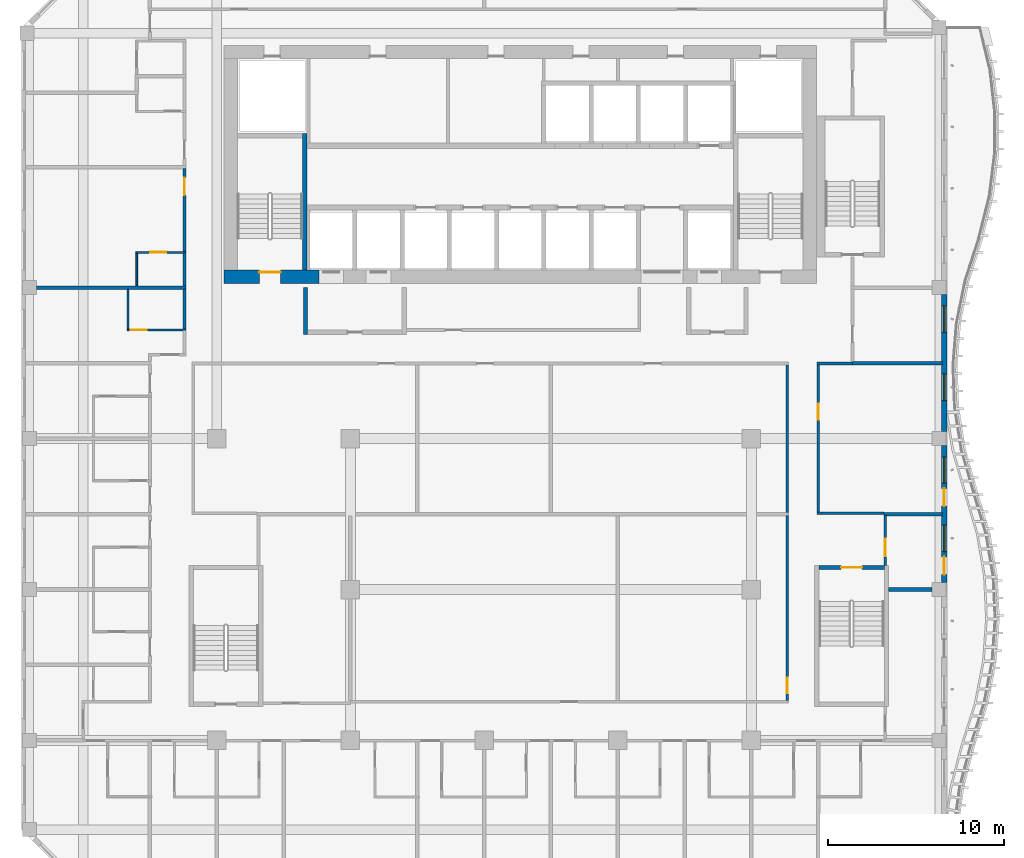
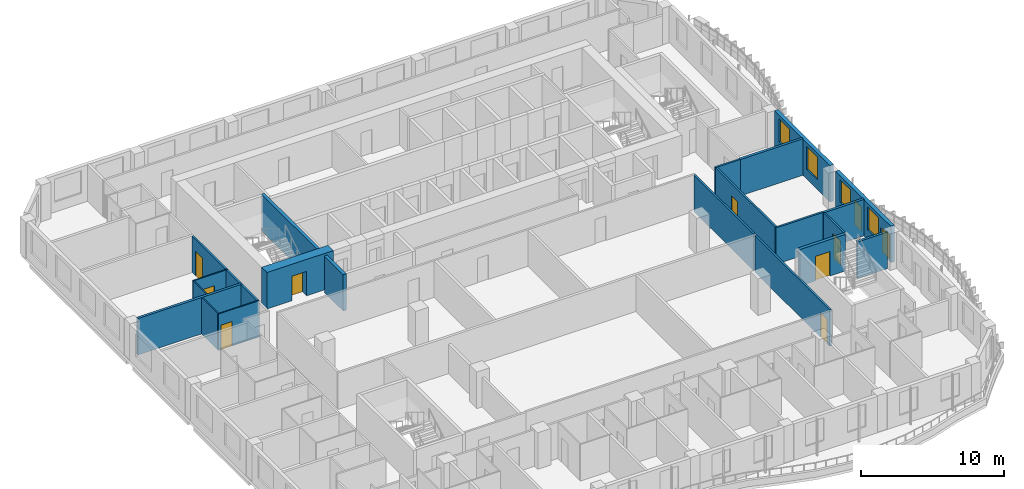
# One storey, part 6 of 22: 23 walls, 10 doors, 4 windows, 14 openings.
"""IFC4 building model written with IfcOpenShell, lengths in metres."""

from ifc_helpers import new_model, si_unit, direction, frame, frame_2d, origin, place, context, subcontext, project, spatial, rectangle, extrude, source, transform, mapped, material, layer, layer_set, type_object, element, fill, save


model = new_model("IFC4")

# Units and contexts
model_context = context("Model", 3, precision=1e-05, world=origin(), true_north=direction((0.0, 1.0)))
body_context = subcontext(model_context, "Body", "Model", "MODEL_VIEW")
ifc_project = project(units=[si_unit("LENGTHUNIT", "METRE"), si_unit("AREAUNIT", "SQUARE_METRE"), si_unit("VOLUMEUNIT", "CUBIC_METRE"), si_unit("PLANEANGLEUNIT", "RADIAN"), si_unit("MASSUNIT", "GRAM", prefix="KILO")], contexts=[model_context])

# Site, building, storey
site_placement = place(None, origin())
site = spatial("IfcSite", under=ifc_project, at=site_placement, CompositionType="ELEMENT")
building_placement = place(site_placement, origin())
building = spatial("IfcBuilding", under=site, at=building_placement, Name="Kilnfold Tower and Market Hall", CompositionType="ELEMENT")
storey_placement = place(building_placement, frame((0.0, 0.0, 188.89990234375)))
storey = spatial("IfcBuildingStorey", under=building, at=storey_placement, Name="L45", CompositionType="ELEMENT", Elevation=188.89990234375)

# Wall
ifc_material_1 = material(Name="Gypsum board on steel studs", Category="steel")
ifc_layer_1 = layer(ifc_material_1, 0.14990234375)
ifc_layer_set_1 = layer_set([ifc_layer_1], Name="Gypsum board on steel studs")
wall_type_1 = type_object("IfcWallType", Name="WALL CORRIDOR 150", PredefinedType="PARTITIONING", material=ifc_layer_set_1)
wall_1_placement = place(storey_placement, frame((-18.0, 5.639892578125, 0.0), z_axis=(0.0, 0.0, 1.0), x_axis=(0.0, 1.0, 0.0)))
element("IfcWall", 1, at=wall_1_placement, inside=storey, type_object=wall_type_1, Name="Partition LY28.21", PredefinedType="PARTITIONING", context=body_context, shape_type="SweptSolid", body=[
    extrude(rectangle(XDim=2.27001953125, YDim=0.14990234375, at=frame_2d((1.135009765625, 0.0))), origin(), (0.0, 0.0, 1.0), 3.1201171875),
])

# Wall, opening, door
wall_2_placement = place(storey_placement, frame((-18.0, 10.0400390625, 0.0), z_axis=(0.0, 0.0, 1.0), x_axis=(0.0, 1.0, 0.0)))
wall_2 = element("IfcWall", 2, at=wall_2_placement, inside=storey, type_object=wall_type_1, Name="Partition LY28.22", PredefinedType="PARTITIONING", context=body_context, shape_type="SweptSolid", body=[
    extrude(rectangle(XDim=4.70703125, YDim=0.14990234375, at=frame_2d((2.353515625, 0.0))), origin(), (0.0, 0.0, 1.0), 3.1201171875),
])
opening_1_placement = place(wall_2_placement, frame((3.2060546875, 0.0, 0.0)))
opening_1 = element("IfcOpeningElement", 3, at=opening_1_placement, cuts=wall_2, Name="Opening D1", PredefinedType="OPENING", context=body_context, shape_type="SweptSolid", body=[
    extrude(rectangle(XDim=1.0, YDim=2.10009765625, at=frame_2d((0.5, 1.050048828125))), frame((0.0, 0.0849609375, 0.0), z_axis=(0.0, -1.0, 0.0), x_axis=(1.0, 0.0, 0.0)), (0.0, 0.0, 1.0), 0.169921875),
])
ifc_material_2 = material(Name="Timber veneer door leaf in steel frame", Category="steel")
door_type_1 = type_object("IfcDoorType", Name="DOOR ENTRY 1000 X2100", OperationType="NOTDEFINED", PredefinedType="DOOR", material=ifc_material_2)
door_1_placement = place(opening_1_placement, origin())
door_1 = element("IfcDoor", 4, at=door_1_placement, inside=storey, type_object=door_type_1, Name="Door D1", OperationType="SINGLE_SWING_RIGHT", OverallHeight=2.10009765625, OverallWidth=1.0, PredefinedType="DOOR", context=body_context, shape_type="SweptSolid", body=[
    extrude(rectangle(XDim=1.0, YDim=2.10009765625, at=frame_2d((0.5, 1.050048828125))), frame((0.0, 0.02490234375, 0.0), z_axis=(0.0, -1.0, 0.0), x_axis=(1.0, 0.0, 0.0)), (0.0, 0.0, 1.0), 0.050048828125),
])
fill(opening_1, door_1)

# Walls
wall_3_placement = place(storey_placement, frame((-18.0, 8.090087890625, 0.0), z_axis=(0.0, 0.0, 1.0), x_axis=(0.0, 1.0, 0.0)))
element("IfcWall", 5, at=wall_3_placement, inside=storey, type_object=wall_type_1, Name="Partition LY28.23", PredefinedType="PARTITIONING", context=body_context, shape_type="SweptSolid", body=[
    extrude(rectangle(XDim=1.869873046875, YDim=0.14990234375, at=frame_2d((0.93505859375, 0.0))), origin(), (0.0, 0.0, 1.0), 3.1201171875),
])
wall_4_placement = place(storey_placement, frame((17.884033203125, 3.699951171875, 0.0), z_axis=(0.0, 0.0, 1.0), x_axis=(1.0, 0.0, 0.0)))
element("IfcWall", 6, at=wall_4_placement, inside=storey, type_object=wall_type_1, Name="Partition LY28.34", PredefinedType="PARTITIONING", context=body_context, shape_type="SweptSolid", body=[
    extrude(rectangle(XDim=2.015869140625, YDim=0.14990234375, at=frame_2d((1.0078125, 0.0))), origin(), (0.0, 0.0, 1.0), 3.1201171875),
])

# Wall, opening, door
wall_5_placement = place(storey_placement, frame((17.958984375, -4.72509765625, 0.0), z_axis=(0.0, 0.0, 1.0), x_axis=(0.0, 1.0, 0.0)))
wall_5 = element("IfcWall", 7, at=wall_5_placement, inside=storey, type_object=wall_type_1, Name="Partition LY28.35", PredefinedType="PARTITIONING", context=body_context, shape_type="SweptSolid", body=[
    extrude(rectangle(XDim=8.35009765625, YDim=0.14990234375, at=frame_2d((4.175048828125, 0.0))), origin(), (0.0, 0.0, 1.0), 3.1201171875),
])
opening_2_placement = place(wall_5_placement, frame((5.236083984375, 0.0, 0.0)))
opening_2 = element("IfcOpeningElement", 8, at=opening_2_placement, cuts=wall_5, Name="Opening D2", PredefinedType="OPENING", context=body_context, shape_type="SweptSolid", body=[
    extrude(rectangle(XDim=0.89990234375, YDim=2.10009765625, at=frame_2d((0.449951171875, 1.050048828125))), frame((0.0, 0.0849609375, 0.0), z_axis=(0.0, -1.0, 0.0), x_axis=(1.0, 0.0, 0.0)), (0.0, 0.0, 1.0), 0.169921875),
])
ifc_material_3 = material(Name="Timber veneer door leaf in steel frame", Category="steel")
door_type_2 = type_object("IfcDoorType", Name="DOOR ROOM 900 X2100", OperationType="NOTDEFINED", PredefinedType="DOOR", material=ifc_material_3)
door_2_placement = place(opening_2_placement, origin())
door_2 = element("IfcDoor", 9, at=door_2_placement, inside=storey, type_object=door_type_2, Name="Door D2", OperationType="SINGLE_SWING_LEFT", OverallHeight=2.10009765625, OverallWidth=0.89990234375, PredefinedType="DOOR", context=body_context, shape_type="SweptSolid", body=[
    extrude(rectangle(XDim=0.89990234375, YDim=2.10009765625, at=frame_2d((0.449951171875, 1.050048828125))), frame((0.0, 0.02490234375, 0.0), z_axis=(0.0, -1.0, 0.0), x_axis=(1.0, 0.0, 0.0)), (0.0, 0.0, 1.0), 0.050048828125),
])
fill(opening_2, door_2)

# Wall
wall_6_placement = place(storey_placement, frame((17.884033203125, -4.800048828125, 0.0), z_axis=(0.0, 0.0, 1.0), x_axis=(1.0, 0.0, 0.0)))
element("IfcWall", 10, at=wall_6_placement, inside=storey, type_object=wall_type_1, Name="Partition LY28.36", PredefinedType="PARTITIONING", context=body_context, shape_type="SweptSolid", body=[
    extrude(rectangle(XDim=3.79296875, YDim=0.14990234375, at=frame_2d((1.896484375, 0.0))), origin(), (0.0, 0.0, 1.0), 3.1201171875),
])

# Wall, opening, door
wall_7_placement = place(storey_placement, frame((21.75, -7.75, 0.0), z_axis=(0.0, 0.0, 1.0), x_axis=(0.0, 1.0, 0.0)))
wall_7 = element("IfcWall", 11, at=wall_7_placement, inside=storey, type_object=wall_type_1, Name="Partition LY28.37", PredefinedType="PARTITIONING", context=body_context, shape_type="SweptSolid", body=[
    extrude(rectangle(XDim=2.81689453125, YDim=0.14990234375, at=frame_2d((1.408447265625, 0.0))), origin(), (0.0, 0.0, 1.0), 3.1201171875),
])
opening_3_placement = place(wall_7_placement, frame((0.50390625, 0.0, 0.0)))
opening_3 = element("IfcOpeningElement", 12, at=opening_3_placement, cuts=wall_7, Name="Opening D4", PredefinedType="OPENING", context=body_context, shape_type="SweptSolid", body=[
    extrude(rectangle(XDim=1.0, YDim=2.10009765625, at=frame_2d((0.5, 1.050048828125))), frame((0.0, 0.0849609375, 0.0), z_axis=(0.0, -1.0, 0.0), x_axis=(1.0, 0.0, 0.0)), (0.0, 0.0, 1.0), 0.169921875),
])
ifc_material_4 = material(Name="Timber veneer door leaf in steel frame", Category="steel")
door_type_3 = type_object("IfcDoorType", Name="DOOR SERVICE 1000 X2100", OperationType="NOTDEFINED", PredefinedType="DOOR", material=ifc_material_4)
door_3_placement = place(opening_3_placement, origin())
door_3 = element("IfcDoor", 13, at=door_3_placement, inside=storey, type_object=door_type_3, Name="Door D4", OperationType="SINGLE_SWING_RIGHT", OverallHeight=2.10009765625, OverallWidth=1.0, PredefinedType="DOOR", context=body_context, shape_type="SweptSolid", body=[
    extrude(rectangle(XDim=1.0, YDim=2.10009765625, at=frame_2d((0.5, 1.050048828125))), frame((0.0, 0.02490234375, 0.0), z_axis=(0.0, -1.0, 0.0), x_axis=(1.0, 0.0, 0.0)), (0.0, 0.0, 1.0), 0.050048828125),
])
fill(opening_3, door_3)

# Wall
wall_8_placement = place(storey_placement, frame((16.199951171875, -4.7529296875, 0.0), z_axis=(0.0, 0.0, 1.0), x_axis=(0.0, 1.0, 0.0)))
element("IfcWall", 14, at=wall_8_placement, inside=storey, type_object=wall_type_1, Name="Partition LY28.45", PredefinedType="PARTITIONING", context=body_context, shape_type="SweptSolid", body=[
    extrude(rectangle(XDim=8.3779296875, YDim=0.14990234375, at=frame_2d((4.18896484375, 0.0))), origin(), (0.0, 0.0, 1.0), 3.1201171875),
])

# Wall, opening, door
wall_9_placement = place(storey_placement, frame((16.199951171875, -15.425048828125, 0.0), z_axis=(0.0, 0.0, 1.0), x_axis=(0.0, 1.0, 0.0)))
wall_9 = element("IfcWall", 15, at=wall_9_placement, inside=storey, type_object=wall_type_1, Name="Partition LY28.49", PredefinedType="PARTITIONING", context=body_context, shape_type="SweptSolid", body=[
    extrude(rectangle(XDim=10.491943359375, YDim=0.14990234375, at=frame_2d((5.24609375, 0.0))), origin(), (0.0, 0.0, 1.0), 3.1201171875),
])
opening_4_placement = place(wall_9_placement, frame((0.402099609375, 0.0, 0.0)))
opening_4 = element("IfcOpeningElement", 16, at=opening_4_placement, cuts=wall_9, Name="Opening D2", PredefinedType="OPENING", context=body_context, shape_type="SweptSolid", body=[
    extrude(rectangle(XDim=0.89990234375, YDim=2.10009765625, at=frame_2d((0.449951171875, 1.050048828125))), frame((0.0, 0.0849609375, 0.0), z_axis=(0.0, -1.0, 0.0), x_axis=(1.0, 0.0, 0.0)), (0.0, 0.0, 1.0), 0.169921875),
])
door_4_placement = place(opening_4_placement, origin())
door_4 = element("IfcDoor", 17, at=door_4_placement, inside=storey, type_object=door_type_2, Name="Door D2", OperationType="SINGLE_SWING_RIGHT", OverallHeight=2.10009765625, OverallWidth=0.89990234375, PredefinedType="DOOR", context=body_context, shape_type="SweptSolid", body=[
    extrude(rectangle(XDim=0.89990234375, YDim=2.10009765625, at=frame_2d((0.449951171875, 1.050048828125))), frame((0.0, 0.02490234375, 0.0), z_axis=(0.0, -1.0, 0.0), x_axis=(1.0, 0.0, 0.0)), (0.0, 0.0, 1.0), 0.050048828125),
])
fill(opening_4, door_4)

ifc_material_5 = material(Name="Gypsum board on steel studs", Category="steel")
ifc_layer_2 = layer(ifc_material_5, 0.10009765625)
ifc_layer_set_2 = layer_set([ifc_layer_2], Name="Gypsum board on steel studs")
wall_type_2 = type_object("IfcWallType", Name="WALL PARTITION 100", PredefinedType="PARTITIONING", material=ifc_layer_set_2)
wall_10_placement = place(storey_placement, frame((-17.927001953125, 5.60009765625, 0.0), z_axis=(0.0, 0.0, 1.0), x_axis=(-1.0, 0.0, 0.0)))
wall_10 = element("IfcWall", 18, at=wall_10_placement, inside=storey, type_object=wall_type_2, Name="Partition LY28.101", PredefinedType="PARTITIONING", context=body_context, shape_type="SweptSolid", body=[
    extrude(rectangle(XDim=3.324951171875, YDim=0.10009765625, at=frame_2d((1.66259765625, 0.0))), origin(), (0.0, 0.0, 1.0), 3.1201171875),
])
opening_5_placement = place(wall_10_placement, frame((2.22509765625, 0.0, 0.0)))
opening_5 = element("IfcOpeningElement", 19, at=opening_5_placement, cuts=wall_10, Name="Opening D3", PredefinedType="OPENING", context=body_context, shape_type="SweptSolid", body=[
    extrude(rectangle(XDim=0.89990234375, YDim=2.10009765625, at=frame_2d((0.449951171875, 1.050048828125))), frame((0.0, 0.06005859375, 0.0), z_axis=(0.0, -1.0, 0.0), x_axis=(1.0, 0.0, 0.0)), (0.0, 0.0, 1.0), 0.1201171875),
])
ifc_material_6 = material(Name="Timber veneer door leaf in steel frame", Category="steel")
door_type_4 = type_object("IfcDoorType", Name="DOOR WC 900 X2100", OperationType="NOTDEFINED", PredefinedType="DOOR", material=ifc_material_6)
door_5_placement = place(opening_5_placement, origin())
door_5 = element("IfcDoor", 20, at=door_5_placement, inside=storey, type_object=door_type_4, Name="Door D3", OperationType="SINGLE_SWING_LEFT", OverallHeight=2.10009765625, OverallWidth=0.89990234375, PredefinedType="DOOR", context=body_context, shape_type="SweptSolid", body=[
    extrude(rectangle(XDim=0.89990234375, YDim=2.10009765625, at=frame_2d((0.449951171875, 1.050048828125))), frame((0.0, 0.02490234375, 0.0), z_axis=(0.0, -1.0, 0.0), x_axis=(1.0, 0.0, 0.0)), (0.0, 0.0, 1.0), 0.050048828125),
])
fill(opening_5, door_5)

# Wall
wall_11_placement = place(storey_placement, frame((-21.201904296875, 5.64990234375, 0.0), z_axis=(0.0, 0.0, 1.0), x_axis=(0.0, 1.0, 0.0)))
element("IfcWall", 21, at=wall_11_placement, inside=storey, type_object=wall_type_2, Name="Partition LY28.102", PredefinedType="PARTITIONING", context=body_context, shape_type="SweptSolid", body=[
    extrude(rectangle(XDim=2.25, YDim=0.10009765625, at=frame_2d((1.125, 0.0))), origin(), (0.0, 0.0, 1.0), 3.1201171875),
])

# Wall, opening, door
wall_12_placement = place(storey_placement, frame((-20.751953125, 10.0, 0.0), z_axis=(0.0, 0.0, 1.0), x_axis=(1.0, 0.0, 0.0)))
wall_12 = element("IfcWall", 22, at=wall_12_placement, inside=storey, type_object=wall_type_2, Name="Partition LY28.104", PredefinedType="PARTITIONING", context=body_context, shape_type="SweptSolid", body=[
    extrude(rectangle(XDim=2.824951171875, YDim=0.10009765625, at=frame_2d((1.41259765625, 0.0))), origin(), (0.0, 0.0, 1.0), 3.1201171875),
])
opening_6_placement = place(wall_12_placement, frame((0.81005859375, 0.0, 0.0)))
opening_6 = element("IfcOpeningElement", 23, at=opening_6_placement, cuts=wall_12, Name="Opening D3", PredefinedType="OPENING", context=body_context, shape_type="SweptSolid", body=[
    extrude(rectangle(XDim=0.89990234375, YDim=2.10009765625, at=frame_2d((0.449951171875, 1.050048828125))), frame((0.0, 0.06005859375, 0.0), z_axis=(0.0, -1.0, 0.0), x_axis=(1.0, 0.0, 0.0)), (0.0, 0.0, 1.0), 0.1201171875),
])
door_6_placement = place(opening_6_placement, origin())
door_6 = element("IfcDoor", 24, at=door_6_placement, inside=storey, type_object=door_type_4, Name="Door D3", OperationType="SINGLE_SWING_LEFT", OverallHeight=2.10009765625, OverallWidth=0.89990234375, PredefinedType="DOOR", context=body_context, shape_type="SweptSolid", body=[
    extrude(rectangle(XDim=0.89990234375, YDim=2.10009765625, at=frame_2d((0.449951171875, 1.050048828125))), frame((0.0, 0.02490234375, 0.0), z_axis=(0.0, -1.0, 0.0), x_axis=(1.0, 0.0, 0.0)), (0.0, 0.0, 1.0), 0.050048828125),
])
fill(opening_6, door_6)

# Walls
wall_13_placement = place(storey_placement, frame((-20.701904296875, 8.10009765625, 0.0), z_axis=(0.0, 0.0, 1.0), x_axis=(0.0, 1.0, 0.0)))
element("IfcWall", 25, at=wall_13_placement, inside=storey, type_object=wall_type_2, Name="Partition LY28.105", PredefinedType="PARTITIONING", context=body_context, shape_type="SweptSolid", body=[
    extrude(rectangle(XDim=1.849853515625, YDim=0.10009765625, at=frame_2d((0.9248046875, 0.0))), origin(), (0.0, 0.0, 1.0), 3.1201171875),
])
ifc_material_7 = material(Name="Gypsum board on steel studs", Category="steel")
ifc_layer_3 = layer(ifc_material_7, 0.199951171875)
ifc_layer_set_3 = layer_set([ifc_layer_3], Name="Gypsum board on steel studs")
wall_type_3 = type_object("IfcWallType", Name="WALL PARTY 200", PredefinedType="PARTITIONING", material=ifc_layer_set_3)
wall_14_placement = place(storey_placement, frame((-26.39990234375, 8.0, 0.0), z_axis=(0.0, 0.0, 1.0), x_axis=(1.0, 0.0, 0.0)))
element("IfcWall", 26, at=wall_14_placement, inside=storey, type_object=wall_type_3, Name="Partition LY28.103", PredefinedType="PARTITIONING", context=body_context, shape_type="SweptSolid", body=[
    extrude(rectangle(XDim=8.472900390625, YDim=0.199951171875, at=frame_2d((4.236328125, 0.0))), origin(), (0.0, 0.0, 1.0), 3.1201171875),
])
wall_15_placement = place(storey_placement, frame((19.902099609375, 3.718994140625, 0.0), z_axis=(0.0, 0.0, 1.0), x_axis=(1.0, 0.0, 0.0)))
element("IfcWall", 27, at=wall_15_placement, inside=storey, type_object=wall_type_3, Name="Partition LY28.116", PredefinedType="PARTITIONING", context=body_context, shape_type="SweptSolid", body=[
    extrude(rectangle(XDim=5.097900390625, YDim=0.199951171875, at=frame_2d((2.548828125, 0.0))), origin(), (0.0, 0.0, 1.0), 3.1201171875),
])
wall_16_placement = place(storey_placement, frame((21.677001953125, -4.843017578125, 0.0), z_axis=(0.0, 0.0, 1.0), x_axis=(1.0, 0.0, 0.0)))
element("IfcWall", 28, at=wall_16_placement, inside=storey, type_object=wall_type_3, Name="Partition LY28.119", PredefinedType="PARTITIONING", context=body_context, shape_type="SweptSolid", body=[
    extrude(rectangle(XDim=3.322998046875, YDim=0.199951171875, at=frame_2d((1.66162109375, 0.0))), origin(), (0.0, 0.0, 1.0), 3.1201171875),
])
wall_17_placement = place(storey_placement, frame((21.949951171875, -9.125, 0.0), z_axis=(0.0, 0.0, 1.0), x_axis=(1.0, 0.0, 0.0)))
element("IfcWall", 29, at=wall_17_placement, inside=storey, type_object=wall_type_3, Name="Partition LY28.120", PredefinedType="PARTITIONING", context=body_context, shape_type="SweptSolid", body=[
    extrude(rectangle(XDim=2.449951171875, YDim=0.199951171875, at=frame_2d((1.22509765625, 0.0))), origin(), (0.0, 0.0, 1.0), 3.1201171875),
])
ifc_material_8 = material(Name="Concrete C60", Category="concrete")
ifc_layer_4 = layer(ifc_material_8, 0.25)
ifc_layer_set_4 = layer_set([ifc_layer_4], Name="Concrete C60")
wall_type_4 = type_object("IfcWallType", Name="CORE WALL 250 C60", PredefinedType="SHEAR", material=ifc_layer_set_4)
shared_shape_1 = source(origin(), body_context, "Body", "SweptSolid", [
    extrude(rectangle(XDim=7.75, YDim=0.25, at=frame_2d((3.875, 0.0))), origin(), (0.0, 0.0, 1.0), 3.1201171875),
])
wall_18_placement = place(storey_placement, frame((-11.175048828125, 9.0, 0.0), z_axis=(0.0, 0.0, 1.0), x_axis=(0.0, 1.0, 0.0)))
element("IfcWall", 30, at=wall_18_placement, inside=storey, type_object=wall_type_4, Name="Stair enclosure ST1", PredefinedType="SHEAR", context=body_context, shape_type="MappedRepresentation", body=[
    mapped(shared_shape_1, transform((0.0, 0.0, 0.0))),
])

# Wall, opening, door
shared_shape_2 = source(origin(), body_context, "Body", "SweptSolid", [
    extrude(rectangle(XDim=3.699951171875, YDim=0.25, at=frame_2d((1.85009765625, 0.0))), origin(), (0.0, 0.0, 1.0), 3.1201171875),
])
wall_19_placement = place(storey_placement, frame((18.0, -7.875, 0.0), z_axis=(0.0, 0.0, 1.0), x_axis=(1.0, 0.0, 0.0)))
wall_19 = element("IfcWall", 31, at=wall_19_placement, inside=storey, type_object=wall_type_4, Name="Stair enclosure ST4", PredefinedType="SHEAR", context=body_context, shape_type="MappedRepresentation", body=[
    mapped(shared_shape_2, transform((0.0, 0.0, 0.0))),
])
opening_7_placement = place(wall_19_placement, frame((1.25, 0.0, 0.0)))
opening_7 = element("IfcOpeningElement", 32, at=opening_7_placement, cuts=wall_19, Name="Opening SD1", PredefinedType="OPENING", context=body_context, shape_type="SweptSolid", body=[
    extrude(rectangle(XDim=1.199951171875, YDim=2.10009765625, at=frame_2d((0.60009765625, 1.050048828125))), frame((0.0, 0.135009765625, 0.0), z_axis=(0.0, -1.0, 0.0), x_axis=(1.0, 0.0, 0.0)), (0.0, 0.0, 1.0), 0.27001953125),
])
ifc_material_9 = material(Name="Steel door set with fire-resisting leaf", Category="steel")
door_type_5 = type_object("IfcDoorType", Name="STAIR FLOOR DOOR 1200X2100", OperationType="NOTDEFINED", PredefinedType="DOOR", material=ifc_material_9)
door_7_placement = place(opening_7_placement, origin())
door_7 = element("IfcDoor", 33, at=door_7_placement, inside=storey, type_object=door_type_5, Name="Exit stair ST4 door", OperationType="DOUBLE_DOOR_SINGLE_SWING", OverallHeight=2.10009765625, OverallWidth=1.199951171875, PredefinedType="DOOR", context=body_context, shape_type="SweptSolid", body=[
    extrude(rectangle(XDim=1.199951171875, YDim=2.10009765625, at=frame_2d((0.60009765625, 1.050048828125))), frame((0.0, 0.02490234375, 0.0), z_axis=(0.0, -1.0, 0.0), x_axis=(1.0, 0.0, 0.0)), (0.0, 0.0, 1.0), 0.050048828125),
])
fill(opening_7, door_7)

ifc_material_10 = material(Name="Concrete C60", Category="concrete")
ifc_layer_5 = layer(ifc_material_10, 0.75)
ifc_layer_set_5 = layer_set([ifc_layer_5], Name="Concrete C60")
wall_type_5 = type_object("IfcWallType", Name="CORE WALL 750 C60", PredefinedType="SHEAR", material=ifc_layer_set_5)
shared_shape_3 = source(origin(), body_context, "Body", "SweptSolid", [
    extrude(rectangle(XDim=5.3798828125, YDim=0.75, at=frame_2d((2.68994140625, 0.0))), origin(), (0.0, 0.0, 1.0), 3.1201171875),
])
wall_20_placement = place(storey_placement, frame((-15.75, 8.625, 0.0), z_axis=(0.0, 0.0, 1.0), x_axis=(1.0, 0.0, 0.0)))
wall_20 = element("IfcWall", 34, at=wall_20_placement, inside=storey, type_object=wall_type_5, Name="Core outer wall south", PredefinedType="SHEAR", context=body_context, shape_type="MappedRepresentation", body=[
    mapped(shared_shape_3, transform((0.0, 0.0, 0.0))),
])
opening_8_placement = place(wall_20_placement, frame((2.0, 0.0, 0.0)))
opening_8 = element("IfcOpeningElement", 35, at=opening_8_placement, cuts=wall_20, Name="Opening SD1", PredefinedType="OPENING", context=body_context, shape_type="SweptSolid", body=[
    extrude(rectangle(XDim=1.199951171875, YDim=2.10009765625, at=frame_2d((0.60009765625, 1.050048828125))), frame((0.0, 0.385009765625, 0.0), z_axis=(0.0, -1.0, 0.0), x_axis=(1.0, 0.0, 0.0)), (0.0, 0.0, 1.0), 0.77001953125),
])
door_8_placement = place(opening_8_placement, origin())
door_8 = element("IfcDoor", 36, at=door_8_placement, inside=storey, type_object=door_type_5, Name="Exit stair ST1 door", OperationType="DOUBLE_DOOR_SINGLE_SWING", OverallHeight=2.10009765625, OverallWidth=1.199951171875, PredefinedType="DOOR", context=body_context, shape_type="SweptSolid", body=[
    extrude(rectangle(XDim=1.199951171875, YDim=2.10009765625, at=frame_2d((0.60009765625, 1.050048828125))), frame((0.0, 0.27978515625, 0.0), z_axis=(0.0, -1.0, 0.0), x_axis=(1.0, 0.0, 0.0)), (0.0, 0.0, 1.0), 0.050048828125),
])
fill(opening_8, door_8)

# Wall, openings, doors, windows
ifc_material_11 = material(Name="Precast concrete C50/60", Category="concrete")
ifc_layer_6 = layer(ifc_material_11, 0.300048828125)
ifc_layer_set_6 = layer_set([ifc_layer_6], Name="Precast concrete C50/60")
wall_type_6 = type_object("IfcWallType", Name="PRECAST WALL 300", PredefinedType="SOLIDWALL", material=ifc_layer_set_6)
shared_shape_4 = source(origin(), body_context, "Body", "SweptSolid", [
    extrude(rectangle(XDim=7.7626953125, YDim=0.300048828125, at=frame_2d((3.88134765625, 0.0))), origin(), (0.0, 0.0, 1.0), 3.1201171875),
])
wall_21_placement = place(storey_placement, frame((25.10009765625, -8.72509765625, 0.0), z_axis=(0.0, 0.0, 1.0), x_axis=(0.0, 1.0, 0.0)))
wall_21 = element("IfcWall", 37, at=wall_21_placement, inside=storey, type_object=wall_type_6, Name="External wall L45 E", PredefinedType="SOLIDWALL", context=body_context, shape_type="MappedRepresentation", body=[
    mapped(shared_shape_4, transform((0.0, 0.0, 0.0))),
])
opening_9_placement = place(wall_21_placement, frame((1.75, 0.0, 0.85009765625)))
opening_9 = element("IfcOpeningElement", 38, at=opening_9_placement, cuts=wall_21, Name="Opening W4", PredefinedType="OPENING", context=body_context, shape_type="SweptSolid", body=[
    extrude(rectangle(XDim=1.5, YDim=1.949951171875, at=frame_2d((0.75, 0.97509765625))), frame((0.0, 0.16015625, 0.0), z_axis=(0.0, -1.0, 0.0), x_axis=(1.0, 0.0, 0.0)), (0.0, 0.0, 1.0), 0.320068359375),
])
opening_10_placement = place(wall_21_placement, frame((0.449951171875, 0.0, 0.0)))
opening_10 = element("IfcOpeningElement", 39, at=opening_10_placement, cuts=wall_21, Name="Opening BD1", PredefinedType="OPENING", context=body_context, shape_type="SweptSolid", body=[
    extrude(rectangle(XDim=1.0, YDim=2.10009765625, at=frame_2d((0.5, 1.050048828125))), frame((0.0, 0.16015625, 0.0), z_axis=(0.0, -1.0, 0.0), x_axis=(1.0, 0.0, 0.0)), (0.0, 0.0, 1.0), 0.320068359375),
])
opening_11_placement = place(wall_21_placement, frame((5.631103515625, 0.0, 0.85009765625)))
opening_11 = element("IfcOpeningElement", 40, at=opening_11_placement, cuts=wall_21, Name="Opening W4", PredefinedType="OPENING", context=body_context, shape_type="SweptSolid", body=[
    extrude(rectangle(XDim=1.5, YDim=1.949951171875, at=frame_2d((0.75, 0.97509765625))), frame((0.0, 0.16015625, 0.0), z_axis=(0.0, -1.0, 0.0), x_axis=(1.0, 0.0, 0.0)), (0.0, 0.0, 1.0), 0.320068359375),
])
opening_12_placement = place(wall_21_placement, frame((4.331298828125, 0.0, 0.0)))
opening_12 = element("IfcOpeningElement", 41, at=opening_12_placement, cuts=wall_21, Name="Opening BD1", PredefinedType="OPENING", context=body_context, shape_type="SweptSolid", body=[
    extrude(rectangle(XDim=1.0, YDim=2.10009765625, at=frame_2d((0.5, 1.050048828125))), frame((0.0, 0.16015625, 0.0), z_axis=(0.0, -1.0, 0.0), x_axis=(1.0, 0.0, 0.0)), (0.0, 0.0, 1.0), 0.320068359375),
])
ifc_material_12 = material(Name="Aluminium frame and double glazing", Category="aluminium")
door_type_6 = type_object("IfcDoorType", Name="BALCONY DOOR 1000X2100", OperationType="NOTDEFINED", PredefinedType="DOOR", material=ifc_material_12)
door_9_placement = place(opening_10_placement, origin())
door_9 = element("IfcDoor", 42, at=door_9_placement, inside=storey, type_object=door_type_6, Name="Balcony door BD1 L45 E-1", OperationType="SINGLE_SWING_LEFT", OverallHeight=2.10009765625, OverallWidth=1.0, PredefinedType="DOOR", context=body_context, shape_type="SweptSolid", body=[
    extrude(rectangle(XDim=1.0, YDim=2.10009765625, at=frame_2d((0.5, 1.050048828125))), frame((0.0, 0.02490234375, 0.0), z_axis=(0.0, -1.0, 0.0), x_axis=(1.0, 0.0, 0.0)), (0.0, 0.0, 1.0), 0.050048828125),
])
fill(opening_10, door_9)
door_10_placement = place(opening_12_placement, origin())
door_10 = element("IfcDoor", 43, at=door_10_placement, inside=storey, type_object=door_type_6, Name="Balcony door BD1 L45 E-2", OperationType="SINGLE_SWING_RIGHT", OverallHeight=2.10009765625, OverallWidth=1.0, PredefinedType="DOOR", context=body_context, shape_type="SweptSolid", body=[
    extrude(rectangle(XDim=1.0, YDim=2.10009765625, at=frame_2d((0.5, 1.050048828125))), frame((0.0, 0.02490234375, 0.0), z_axis=(0.0, -1.0, 0.0), x_axis=(1.0, 0.0, 0.0)), (0.0, 0.0, 1.0), 0.050048828125),
])
fill(opening_12, door_10)
ifc_material_13 = material(Name="Aluminium frame and double glazing", Category="aluminium")
window_type = type_object("IfcWindowType", Name="WINDOW W4 1500X1950", PartitioningType="SINGLE_PANEL", PredefinedType="WINDOW", material=ifc_material_13)
window_1_placement = place(opening_9_placement, origin())
window_1 = element("IfcWindow", 44, at=window_1_placement, inside=storey, type_object=window_type, Name="Window W4 L45 E-1", OverallHeight=1.949951171875, OverallWidth=1.5, PartitioningType="SINGLE_PANEL", PredefinedType="WINDOW", context=body_context, shape_type="SweptSolid", body=[
    extrude(rectangle(XDim=1.5, YDim=1.949951171875, at=frame_2d((0.75, 0.97509765625))), frame((0.0, 0.030029296875, 0.0), z_axis=(0.0, -1.0, 0.0), x_axis=(1.0, 0.0, 0.0)), (0.0, 0.0, 1.0), 0.06005859375),
])
fill(opening_9, window_1)
window_2_placement = place(opening_11_placement, origin())
window_2 = element("IfcWindow", 45, at=window_2_placement, inside=storey, type_object=window_type, Name="Window W4 L45 E-2", OverallHeight=1.949951171875, OverallWidth=1.5, PartitioningType="SINGLE_PANEL", PredefinedType="WINDOW", context=body_context, shape_type="SweptSolid", body=[
    extrude(rectangle(XDim=1.5, YDim=1.949951171875, at=frame_2d((0.75, 0.97509765625))), frame((0.0, 0.030029296875, 0.0), z_axis=(0.0, -1.0, 0.0), x_axis=(1.0, 0.0, 0.0)), (0.0, 0.0, 1.0), 0.06005859375),
])
fill(opening_11, window_2)

# Wall, openings, windows
wall_22_placement = place(storey_placement, frame((25.10009765625, -0.16259765625, 0.0), z_axis=(0.0, 0.0, 1.0), x_axis=(0.0, 1.0, 0.0)))
wall_22 = element("IfcWall", 46, at=wall_22_placement, inside=storey, type_object=wall_type_6, Name="External wall L45 E", PredefinedType="SOLIDWALL", context=body_context, shape_type="MappedRepresentation", body=[
    mapped(shared_shape_4, transform((0.0, 0.0, 0.0))),
])
opening_13_placement = place(wall_22_placement, frame((1.75, 0.0, 0.85009765625)))
opening_13 = element("IfcOpeningElement", 47, at=opening_13_placement, cuts=wall_22, Name="Opening W4", PredefinedType="OPENING", context=body_context, shape_type="SweptSolid", body=[
    extrude(rectangle(XDim=1.5, YDim=1.949951171875, at=frame_2d((0.75, 0.97509765625))), frame((0.0, 0.16015625, 0.0), z_axis=(0.0, -1.0, 0.0), x_axis=(1.0, 0.0, 0.0)), (0.0, 0.0, 1.0), 0.320068359375),
])
opening_14_placement = place(wall_22_placement, frame((5.63134765625, 0.0, 0.85009765625)))
opening_14 = element("IfcOpeningElement", 48, at=opening_14_placement, cuts=wall_22, Name="Opening W4", PredefinedType="OPENING", context=body_context, shape_type="SweptSolid", body=[
    extrude(rectangle(XDim=1.5, YDim=1.949951171875, at=frame_2d((0.75, 0.97509765625))), frame((0.0, 0.16015625, 0.0), z_axis=(0.0, -1.0, 0.0), x_axis=(1.0, 0.0, 0.0)), (0.0, 0.0, 1.0), 0.320068359375),
])
window_3_placement = place(opening_13_placement, origin())
window_3 = element("IfcWindow", 49, at=window_3_placement, inside=storey, type_object=window_type, Name="Window W4 L45 E-1", OverallHeight=1.949951171875, OverallWidth=1.5, PartitioningType="SINGLE_PANEL", PredefinedType="WINDOW", context=body_context, shape_type="SweptSolid", body=[
    extrude(rectangle(XDim=1.5, YDim=1.949951171875, at=frame_2d((0.75, 0.97509765625))), frame((0.0, 0.030029296875, 0.0), z_axis=(0.0, -1.0, 0.0), x_axis=(1.0, 0.0, 0.0)), (0.0, 0.0, 1.0), 0.06005859375),
])
fill(opening_13, window_3)
window_4_placement = place(opening_14_placement, origin())
window_4 = element("IfcWindow", 50, at=window_4_placement, inside=storey, type_object=window_type, Name="Window W4 L45 E-2", OverallHeight=1.949951171875, OverallWidth=1.5, PartitioningType="SINGLE_PANEL", PredefinedType="WINDOW", context=body_context, shape_type="SweptSolid", body=[
    extrude(rectangle(XDim=1.5, YDim=1.949951171875, at=frame_2d((0.75, 0.97509765625))), frame((0.0, 0.030029296875, 0.0), z_axis=(0.0, -1.0, 0.0), x_axis=(1.0, 0.0, 0.0)), (0.0, 0.0, 1.0), 0.06005859375),
])
fill(opening_14, window_4)

# Wall
ifc_material_14 = material(Name="Gypsum shaft wall system")
ifc_layer_7 = layer(ifc_material_14, 0.25)
ifc_layer_set_7 = layer_set([ifc_layer_7], Name="Gypsum shaft wall system")
wall_type_7 = type_object("IfcWallType", Name="LOBBY WALL 250", PredefinedType="PARTITIONING", material=ifc_layer_set_7)
shared_shape_5 = source(origin(), body_context, "Body", "SweptSolid", [
    extrude(rectangle(XDim=2.64990234375, YDim=0.25, at=frame_2d((1.324951171875, 0.0))), origin(), (0.0, 0.0, 1.0), 3.1201171875),
])
wall_23_placement = place(storey_placement, frame((-11.135009765625, 5.35009765625, 0.0), z_axis=(0.0, 0.0, 1.0), x_axis=(0.0, 1.0, 0.0)))
element("IfcWall", 51, at=wall_23_placement, inside=storey, type_object=wall_type_7, Name="Firefighting lobby wall", PredefinedType="PARTITIONING", context=body_context, shape_type="MappedRepresentation", body=[
    mapped(shared_shape_5, transform((0.0, 0.0, 0.0))),
])

save(model, "model.ifc")
